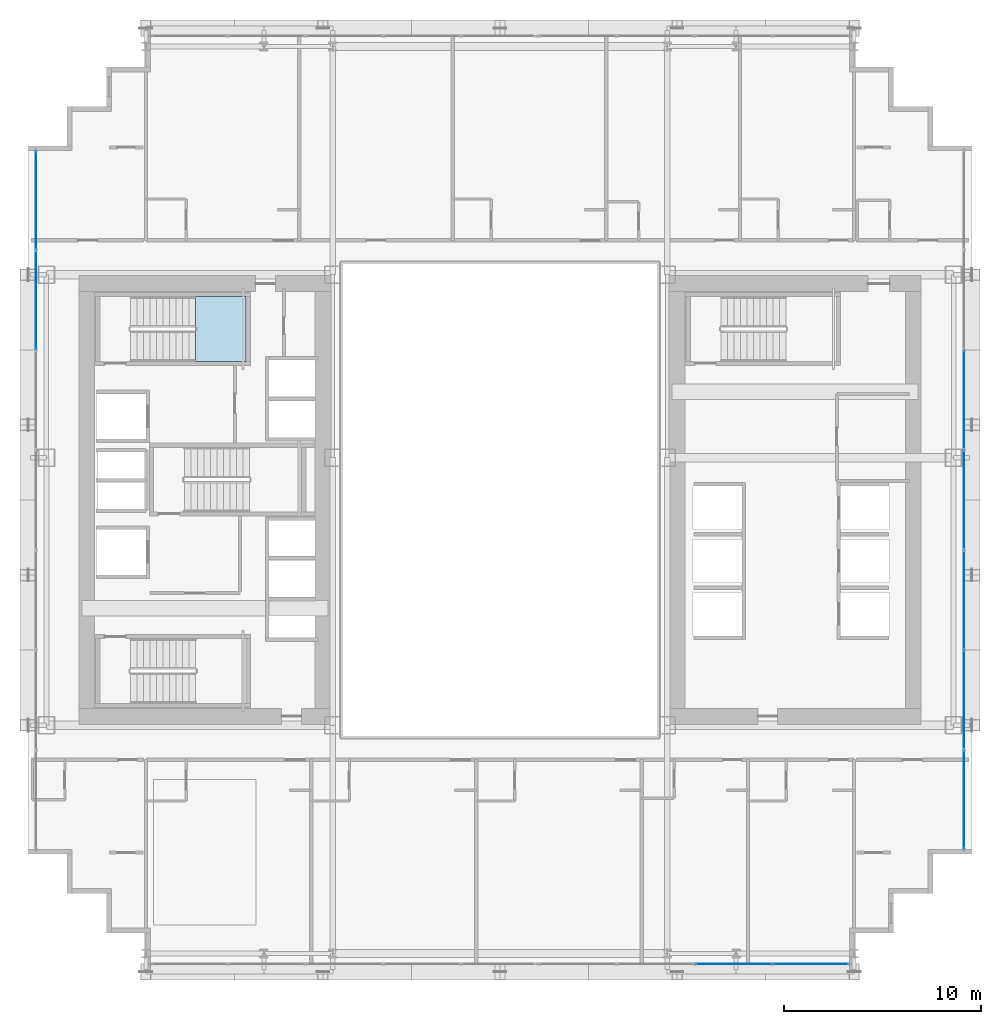
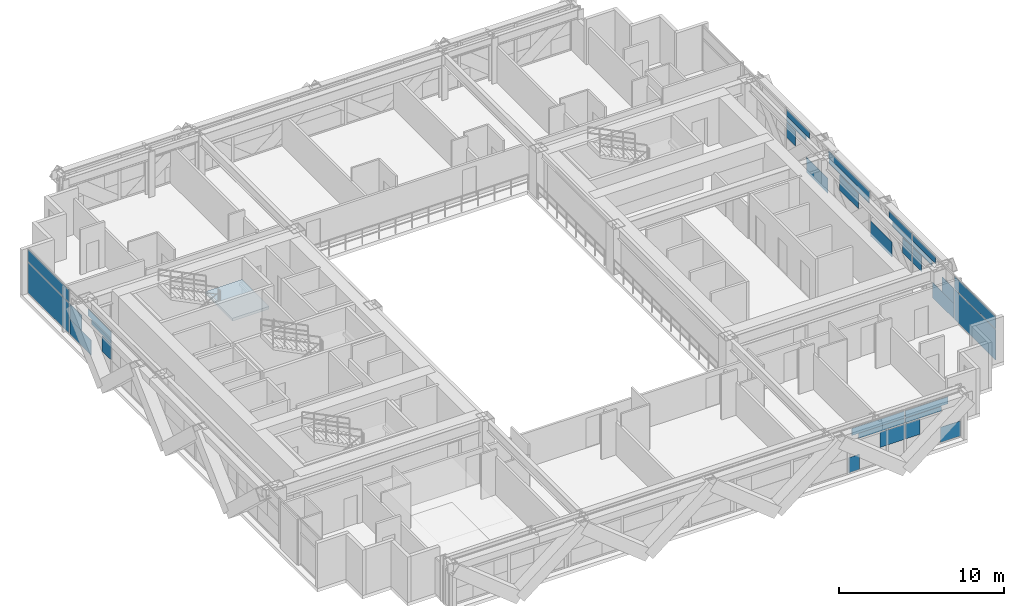
# One storey, part 26 of 38: 33 plates, 1 slab, 4 elements without a shape of their own.
"""IFC4 building model written with IfcOpenShell, lengths in metres."""

from ifc_helpers import new_model, si_unit, direction, frame, origin, origin_2d, place, context, subcontext, project, spatial, polyline, rectangle, outline, extrude, source, transform, mapped, material, layer, layer_set, type_object, element, aggregate, save


model = new_model("IFC4")

# Units and contexts
model_context = context("Model", 3, precision=1e-05, world=origin(), true_north=direction((0.0, 1.0)))
body_context = subcontext(model_context, "Body", "Model", "MODEL_VIEW")
ifc_project = project(units=[si_unit("LENGTHUNIT", "METRE"), si_unit("AREAUNIT", "SQUARE_METRE"), si_unit("VOLUMEUNIT", "CUBIC_METRE"), si_unit("PLANEANGLEUNIT", "RADIAN"), si_unit("MASSUNIT", "GRAM", prefix="KILO")], contexts=[model_context])

# Site, building, storey
site_placement = place(None, origin())
site = spatial("IfcSite", under=ifc_project, at=site_placement, CompositionType="ELEMENT")
building_placement = place(site_placement, origin())
building = spatial("IfcBuilding", under=site, at=building_placement, Name="Ocotamira Hotel", CompositionType="ELEMENT")
storey_placement = place(building_placement, frame((0.0, 0.0, 60.0)))
storey = spatial("IfcBuildingStorey", under=building, at=storey_placement, Name="L14", CompositionType="ELEMENT", Elevation=60.0)

# Stair, slab
ifc_material_1 = material(Name="Concrete C40/50", Category="concrete")
stair_type = type_object("IfcStairType", Name="ST-CORE-1560", PredefinedType="HALF_TURN_STAIR", material=ifc_material_1)
stair_placement = place(storey_placement, origin())
stair = element("IfcStair", 1, at=stair_placement, inside=storey, type_object=stair_type, Name="L14 Exit Stair ST-2", PredefinedType="HALF_TURN_STAIR")
ifc_layer_1 = layer(ifc_material_1, 0.199951171875)
ifc_layer_set_1 = layer_set([ifc_layer_1], Name="Concrete C40/50")
slab_type = type_object("IfcSlabType", Name="SLB-LAND-200", PredefinedType="LANDING", material=ifc_layer_set_1)
slab_placement = place(storey_placement, frame((0.0, 0.0, 1.60009765625)))
slab = element("IfcSlab", 2, at=slab_placement, type_object=slab_type, Name="ST-2 landing 1", PredefinedType="LANDING", context=body_context, shape_type="SweptSolid", body=[
    extrude(outline(polyline([(16.530029296875, 33.050048828125), (19.090087890625, 33.050048828125), (19.090087890625, 36.330078125), (16.530029296875, 36.330078125), (16.530029296875, 33.050048828125)])), origin(), (0.0, 0.0, 1.0), 0.199951171875),
])
aggregate(stair, [slab])

# Curtain wall, plate
ifc_material_2 = material(Name="Anodised pale-metal aluminium and solar glass", Category="aluminium")
ifc_layer_2 = layer(ifc_material_2, 0.179931640625)
ifc_layer_set_2 = layer_set([ifc_layer_2], Name="Anodised pale-metal aluminium and solar glass")
curtain_wall_type = type_object("IfcCurtainWallType", Name="CW-SYS2-Z1", PredefinedType="NOTDEFINED", material=ifc_layer_set_2)
curtain_wall_1_placement = place(storey_placement, origin())
curtain_wall_1 = element("IfcCurtainWall", 3, at=curtain_wall_1_placement, inside=storey, type_object=curtain_wall_type, Name="L14 Curtain Wall CW-2 CW-L14-W", PredefinedType="NOTDEFINED")
ifc_material_3 = material(Name="Double-silver low-E insulated solar glass", Category="glass")
ifc_layer_3 = layer(ifc_material_3, 0.031982421875)
ifc_layer_set_3 = layer_set([ifc_layer_3], Name="Double-silver low-E insulated solar glass")
plate_type = type_object("IfcPlateType", Name="CWP-VISION-32", PredefinedType="CURTAIN_PANEL", material=ifc_layer_set_3)
shared_shape_1 = source(origin(), body_context, "Body", "SweptSolid", [
    extrude(rectangle(XDim=4.9658203125, YDim=0.031982421875, at=origin_2d()), origin(), (0.0, 0.0, 1.0), 2.237548828125),
])
plate_1_placement = place(storey_placement, frame((8.419921875, 41.237060546875, 0.0751953125), z_axis=(0.0, 0.0, 1.0), x_axis=(0.0, 1.0, 0.0)))
plate_1 = element("IfcPlate", 4, at=plate_1_placement, type_object=plate_type, Name="CW-2 panel 7.1", PredefinedType="CURTAIN_PANEL", context=body_context, shape_type="MappedRepresentation", body=[
    mapped(shared_shape_1, transform((0.0, 0.0, 0.0), scale=1.0)),
])

curtain_wall_2_placement = place(storey_placement, origin())
curtain_wall_2 = element("IfcCurtainWall", 5, at=curtain_wall_2_placement, inside=storey, type_object=curtain_wall_type, Name="L14 Curtain Wall CW-2 CW-L14-E", PredefinedType="NOTDEFINED")
plate_2_placement = place(storey_placement, frame((55.580078125, 10.762939453125, 0.0751953125), z_axis=(0.0, 0.0, 1.0), x_axis=(0.0, 1.0, 0.0)))
plate_2 = element("IfcPlate", 6, at=plate_2_placement, type_object=plate_type, Name="CW-2 panel 1.1", PredefinedType="CURTAIN_PANEL", context=body_context, shape_type="MappedRepresentation", body=[
    mapped(shared_shape_1, transform((0.0, 0.0, 0.0), scale=1.0)),
])

# Plate
shared_shape_2 = source(origin(), body_context, "Body", "SweptSolid", [
    extrude(rectangle(XDim=4.9658203125, YDim=0.031982421875, at=origin_2d()), origin(), (0.0, 0.0, 1.0), 0.887451171875),
])
plate_3_placement = place(storey_placement, frame((8.419921875, 41.237060546875, 2.3876953125), z_axis=(0.0, 0.0, 1.0), x_axis=(0.0, 1.0, 0.0)))
plate_3 = element("IfcPlate", 7, at=plate_3_placement, type_object=plate_type, Name="CW-2 panel 7.2", PredefinedType="CURTAIN_PANEL", context=body_context, shape_type="MappedRepresentation", body=[
    mapped(shared_shape_2, transform((0.0, 0.0, 0.0), scale=1.0)),
])

plate_4_placement = place(storey_placement, frame((55.580078125, 10.762939453125, 2.3876953125), z_axis=(0.0, 0.0, 1.0), x_axis=(0.0, 1.0, 0.0)))
plate_4 = element("IfcPlate", 8, at=plate_4_placement, type_object=plate_type, Name="CW-2 panel 1.2", PredefinedType="CURTAIN_PANEL", context=body_context, shape_type="MappedRepresentation", body=[
    mapped(shared_shape_2, transform((0.0, 0.0, 0.0), scale=1.0)),
])

shared_shape_3 = source(origin(), body_context, "Body", "SweptSolid", [
    extrude(rectangle(XDim=2.27978515625, YDim=0.031982421875, at=origin_2d()), origin(), (0.0, 0.0, 1.0), 1.11865234375),
])
plate_5_placement = place(storey_placement, frame((55.580078125, 26.0, 1.19384765625), z_axis=(0.0, 0.0, 1.0), x_axis=(0.0, 1.0, 0.0)))
plate_5 = element("IfcPlate", 9, at=plate_5_placement, type_object=plate_type, Name="CW-2 panel 4.1.1", PredefinedType="CURTAIN_PANEL", context=body_context, shape_type="MappedRepresentation", body=[
    mapped(shared_shape_3, transform((0.0, 0.0, 0.0), scale=1.0)),
])

# Curtain wall, plates
curtain_wall_3_placement = place(storey_placement, origin())
curtain_wall_3 = element("IfcCurtainWall", 10, at=curtain_wall_3_placement, inside=storey, type_object=curtain_wall_type, Name="L14 Curtain Wall CW-2 CW-L14-S1", PredefinedType="NOTDEFINED")
shared_shape_4 = source(origin(), body_context, "Body", "SweptSolid", [
    extrude(rectangle(XDim=1.382568359375, YDim=0.031982421875, at=origin_2d()), origin(), (0.0, 0.0, 1.0), 1.11865234375),
])
plate_6_placement = place(storey_placement, frame((49.02880859375, 2.419921875, 0.0751953125), z_axis=(0.0, 0.0, 1.0), x_axis=(1.0, 0.0, 0.0)))
plate_6 = element("IfcPlate", 11, at=plate_6_placement, type_object=plate_type, Name="CW-2 panel 9.1.2", PredefinedType="CURTAIN_PANEL", context=body_context, shape_type="MappedRepresentation", body=[
    mapped(shared_shape_4, transform((0.0, 0.0, 0.0), scale=1.0)),
])
shared_shape_5 = source(origin(), body_context, "Body", "SweptSolid", [
    extrude(rectangle(XDim=1.012451171875, YDim=0.031982421875, at=origin_2d()), origin(), (0.0, 0.0, 1.0), 1.11865234375),
])
plate_7_placement = place(storey_placement, frame((46.390625, 2.419921875, 1.19384765625), z_axis=(0.0, 0.0, 1.0), x_axis=(1.0, 0.0, 0.0)))
plate_7 = element("IfcPlate", 12, at=plate_7_placement, type_object=plate_type, Name="CW-2 panel 9.1.1", PredefinedType="CURTAIN_PANEL", context=body_context, shape_type="MappedRepresentation", body=[
    mapped(shared_shape_5, transform((0.0, 0.0, 0.0), scale=1.0)),
])
shared_shape_6 = source(origin(), body_context, "Body", "SweptSolid", [
    extrude(rectangle(XDim=2.9755859375, YDim=0.031982421875, at=origin_2d()), origin(), (0.0, 0.0, 1.0), 0.5107421875),
])
plate_8_placement = place(storey_placement, frame((47.372314453125, 2.419921875, 2.76416015625), z_axis=(0.0, 0.0, 1.0), x_axis=(1.0, 0.0, 0.0)))
plate_8 = element("IfcPlate", 13, at=plate_8_placement, type_object=plate_type, Name="CW-2 panel 9.2.2", PredefinedType="CURTAIN_PANEL", context=body_context, shape_type="MappedRepresentation", body=[
    mapped(shared_shape_6, transform((0.0, 0.0, 0.0), scale=1.0)),
])
shared_shape_7 = source(origin(), body_context, "Body", "SweptSolid", [
    extrude(rectangle(XDim=2.504638671875, YDim=0.031982421875, at=origin_2d()), origin(), (0.0, 0.0, 1.0), 0.345458984375),
])
plate_9_placement = place(storey_placement, frame((47.13671875, 2.419921875, 2.3876953125), z_axis=(0.0, 0.0, 1.0), x_axis=(1.0, 0.0, 0.0)))
plate_9 = element("IfcPlate", 14, at=plate_9_placement, type_object=plate_type, Name="CW-2 panel 9.2.1", PredefinedType="CURTAIN_PANEL", context=body_context, shape_type="MappedRepresentation", body=[
    mapped(shared_shape_7, transform((0.0, 0.0, 0.0), scale=1.0)),
])
shared_shape_8 = source(origin(), body_context, "Body", "SweptSolid", [
    extrude(rectangle(XDim=1.701416015625, YDim=0.031982421875, at=origin_2d()), origin(), (0.0, 0.0, 1.0), 1.11865234375),
])
plate_10_placement = place(storey_placement, frame((44.953857421875, 2.419921875, 1.19384765625), z_axis=(0.0, 0.0, 1.0), x_axis=(1.0, 0.0, 0.0)))
plate_10 = element("IfcPlate", 15, at=plate_10_placement, type_object=plate_type, Name="CW-2 panel 8.1.2", PredefinedType="CURTAIN_PANEL", context=body_context, shape_type="MappedRepresentation", body=[
    mapped(shared_shape_8, transform((0.0, 0.0, 0.0), scale=1.0)),
])
shared_shape_9 = source(origin(), body_context, "Body", "SweptSolid", [
    extrude(rectangle(XDim=0.733642578125, YDim=0.031982421875, at=origin_2d()), origin(), (0.0, 0.0, 1.0), 1.11865234375),
])
plate_11_placement = place(storey_placement, frame((42.295654296875, 2.419921875, 0.0751953125), z_axis=(0.0, 0.0, 1.0), x_axis=(1.0, 0.0, 0.0)))
plate_11 = element("IfcPlate", 16, at=plate_11_placement, type_object=plate_type, Name="CW-2 panel 8.1.1", PredefinedType="CURTAIN_PANEL", context=body_context, shape_type="MappedRepresentation", body=[
    mapped(shared_shape_9, transform((0.0, 0.0, 0.0), scale=1.0)),
])
shared_shape_10 = source(origin(), body_context, "Body", "SweptSolid", [
    extrude(rectangle(XDim=3.193603515625, YDim=0.031982421875, at=origin_2d()), origin(), (0.0, 0.0, 1.0), 0.376708984375),
])
plate_12_placement = place(storey_placement, frame((44.207763671875, 2.419921875, 2.3876953125), z_axis=(0.0, 0.0, 1.0), x_axis=(1.0, 0.0, 0.0)))
plate_12 = element("IfcPlate", 17, at=plate_12_placement, type_object=plate_type, Name="CW-2 panel 8.2.2", PredefinedType="CURTAIN_PANEL", context=body_context, shape_type="MappedRepresentation", body=[
    mapped(shared_shape_10, transform((0.0, 0.0, 0.0), scale=1.0)),
])
shared_shape_11 = source(origin(), body_context, "Body", "SweptSolid", [
    extrude(rectangle(XDim=3.664306640625, YDim=0.031982421875, at=origin_2d()), origin(), (0.0, 0.0, 1.0), 0.5107421875),
])
plate_13_placement = place(storey_placement, frame((43.972412109375, 2.419921875, 2.76416015625), z_axis=(0.0, 0.0, 1.0), x_axis=(1.0, 0.0, 0.0)))
plate_13 = element("IfcPlate", 18, at=plate_13_placement, type_object=plate_type, Name="CW-2 panel 8.2.1", PredefinedType="CURTAIN_PANEL", context=body_context, shape_type="MappedRepresentation", body=[
    mapped(shared_shape_11, transform((0.0, 0.0, 0.0), scale=1.0)),
])
aggregate(curtain_wall_3, [plate_11, plate_10, plate_13, plate_12, plate_7, plate_6, plate_9, plate_8])

# Plate
shared_shape_12 = source(origin(), body_context, "Body", "SweptSolid", [
    extrude(rectangle(XDim=2.58935546875, YDim=0.031982421875, at=origin_2d()), origin(), (0.0, 0.0, 1.0), 1.11865234375),
])
plate_14_placement = place(storey_placement, frame((8.419921875, 37.379638671875, 0.0751953125), z_axis=(0.0, 0.0, 1.0), x_axis=(0.0, 1.0, 0.0)))
plate_14 = element("IfcPlate", 19, at=plate_14_placement, type_object=plate_type, Name="CW-2 panel 6.1.2", PredefinedType="CURTAIN_PANEL", context=body_context, shape_type="MappedRepresentation", body=[
    mapped(shared_shape_12, transform((0.0, 0.0, 0.0), scale=1.0)),
])

plate_15_placement = place(storey_placement, frame((55.580078125, 14.620361328125, 0.0751953125), z_axis=(0.0, 0.0, 1.0), x_axis=(0.0, 1.0, 0.0)))
plate_15 = element("IfcPlate", 20, at=plate_15_placement, type_object=plate_type, Name="CW-2 panel 2.1.1", PredefinedType="CURTAIN_PANEL", context=body_context, shape_type="MappedRepresentation", body=[
    mapped(shared_shape_12, transform((0.0, 0.0, 0.0), scale=1.0)),
])

shared_shape_13 = source(origin(), body_context, "Body", "SweptSolid", [
    extrude(rectangle(XDim=1.4033203125, YDim=0.031982421875, at=origin_2d()), origin(), (0.0, 0.0, 1.0), 1.11865234375),
])
plate_16_placement = place(storey_placement, frame((8.419921875, 37.97265625, 1.19384765625), z_axis=(0.0, 0.0, 1.0), x_axis=(0.0, 1.0, 0.0)))
plate_16 = element("IfcPlate", 21, at=plate_16_placement, type_object=plate_type, Name="CW-2 panel 6.1.3", PredefinedType="CURTAIN_PANEL", context=body_context, shape_type="MappedRepresentation", body=[
    mapped(shared_shape_13, transform((0.0, 0.0, 0.0), scale=1.0)),
])

plate_17_placement = place(storey_placement, frame((55.580078125, 14.02734375, 1.19384765625), z_axis=(0.0, 0.0, 1.0), x_axis=(0.0, 1.0, 0.0)))
plate_17 = element("IfcPlate", 22, at=plate_17_placement, type_object=plate_type, Name="CW-2 panel 2.1.2", PredefinedType="CURTAIN_PANEL", context=body_context, shape_type="MappedRepresentation", body=[
    mapped(shared_shape_13, transform((0.0, 0.0, 0.0), scale=1.0)),
])

shared_shape_14 = source(origin(), body_context, "Body", "SweptSolid", [
    extrude(rectangle(XDim=1.104736328125, YDim=0.031982421875, at=origin_2d()), origin(), (0.0, 0.0, 1.0), 1.11865234375),
])
plate_18_placement = place(storey_placement, frame((8.419921875, 34.220947265625, 1.19384765625), z_axis=(0.0, 0.0, 1.0), x_axis=(0.0, 1.0, 0.0)))
plate_18 = element("IfcPlate", 23, at=plate_18_placement, type_object=plate_type, Name="CW-2 panel 6.1.1", PredefinedType="CURTAIN_PANEL", context=body_context, shape_type="MappedRepresentation", body=[
    mapped(shared_shape_14, transform((0.0, 0.0, 0.0), scale=1.0)),
])

plate_19_placement = place(storey_placement, frame((55.580078125, 17.779052734375, 1.19384765625), z_axis=(0.0, 0.0, 1.0), x_axis=(0.0, 1.0, 0.0)))
plate_19 = element("IfcPlate", 24, at=plate_19_placement, type_object=plate_type, Name="CW-2 panel 2.1.3", PredefinedType="CURTAIN_PANEL", context=body_context, shape_type="MappedRepresentation", body=[
    mapped(shared_shape_14, transform((0.0, 0.0, 0.0), scale=1.0)),
])

shared_shape_15 = source(origin(), body_context, "Body", "SweptSolid", [
    extrude(rectangle(XDim=2.796630859375, YDim=0.031982421875, at=origin_2d()), origin(), (0.0, 0.0, 1.0), 0.485107421875),
])
plate_20_placement = place(storey_placement, frame((8.419921875, 35.06689453125, 2.7900390625), z_axis=(0.0, 0.0, 1.0), x_axis=(0.0, 1.0, 0.0)))
plate_20 = element("IfcPlate", 25, at=plate_20_placement, type_object=plate_type, Name="CW-2 panel 6.2.2", PredefinedType="CURTAIN_PANEL", context=body_context, shape_type="MappedRepresentation", body=[
    mapped(shared_shape_15, transform((0.0, 0.0, 0.0), scale=1.0)),
])

plate_21_placement = place(storey_placement, frame((55.580078125, 16.93310546875, 2.7900390625), z_axis=(0.0, 0.0, 1.0), x_axis=(0.0, 1.0, 0.0)))
plate_21 = element("IfcPlate", 26, at=plate_21_placement, type_object=plate_type, Name="CW-2 panel 2.2.1", PredefinedType="CURTAIN_PANEL", context=body_context, shape_type="MappedRepresentation", body=[
    mapped(shared_shape_15, transform((0.0, 0.0, 0.0), scale=1.0)),
])

shared_shape_16 = source(origin(), body_context, "Body", "SweptSolid", [
    extrude(rectangle(XDim=2.3701171875, YDim=0.031982421875, at=origin_2d()), origin(), (0.0, 0.0, 1.0), 0.367919921875),
])
plate_22_placement = place(storey_placement, frame((8.419921875, 34.853759765625, 2.3876953125), z_axis=(0.0, 0.0, 1.0), x_axis=(0.0, 1.0, 0.0)))
plate_22 = element("IfcPlate", 27, at=plate_22_placement, type_object=plate_type, Name="CW-2 panel 6.2.1", PredefinedType="CURTAIN_PANEL", context=body_context, shape_type="MappedRepresentation", body=[
    mapped(shared_shape_16, transform((0.0, 0.0, 0.0), scale=1.0)),
])

aggregate(curtain_wall_1, [plate_18, plate_14, plate_16, plate_22, plate_20, plate_1, plate_3])

plate_23_placement = place(storey_placement, frame((55.580078125, 17.146240234375, 2.3876953125), z_axis=(0.0, 0.0, 1.0), x_axis=(0.0, 1.0, 0.0)))
plate_23 = element("IfcPlate", 28, at=plate_23_placement, type_object=plate_type, Name="CW-2 panel 2.2.2", PredefinedType="CURTAIN_PANEL", context=body_context, shape_type="MappedRepresentation", body=[
    mapped(shared_shape_16, transform((0.0, 0.0, 0.0), scale=1.0)),
])

shared_shape_17 = source(origin(), body_context, "Body", "SweptSolid", [
    extrude(rectangle(XDim=1.094970703125, YDim=0.031982421875, at=origin_2d()), origin(), (0.0, 0.0, 1.0), 1.11865234375),
])
plate_24_placement = place(storey_placement, frame((55.580078125, 18.958984375, 1.19384765625), z_axis=(0.0, 0.0, 1.0), x_axis=(0.0, 1.0, 0.0)))
plate_24 = element("IfcPlate", 29, at=plate_24_placement, type_object=plate_type, Name="CW-2 panel 3.1.1", PredefinedType="CURTAIN_PANEL", context=body_context, shape_type="MappedRepresentation", body=[
    mapped(shared_shape_17, transform((0.0, 0.0, 0.0), scale=1.0)),
])

plate_25_placement = place(storey_placement, frame((55.580078125, 33.041015625, 1.19384765625), z_axis=(0.0, 0.0, 1.0), x_axis=(0.0, 1.0, 0.0)))
plate_25 = element("IfcPlate", 30, at=plate_25_placement, type_object=plate_type, Name="CW-2 panel 5.1.2", PredefinedType="CURTAIN_PANEL", context=body_context, shape_type="MappedRepresentation", body=[
    mapped(shared_shape_17, transform((0.0, 0.0, 0.0), scale=1.0)),
])

shared_shape_18 = source(origin(), body_context, "Body", "SweptSolid", [
    extrude(rectangle(XDim=2.59912109375, YDim=0.031982421875, at=origin_2d()), origin(), (0.0, 0.0, 1.0), 1.11865234375),
])
plate_26_placement = place(storey_placement, frame((55.580078125, 22.11767578125, 0.0751953125), z_axis=(0.0, 0.0, 1.0), x_axis=(0.0, 1.0, 0.0)))
plate_26 = element("IfcPlate", 31, at=plate_26_placement, type_object=plate_type, Name="CW-2 panel 3.1.2", PredefinedType="CURTAIN_PANEL", context=body_context, shape_type="MappedRepresentation", body=[
    mapped(shared_shape_18, transform((0.0, 0.0, 0.0), scale=1.0)),
])

plate_27_placement = place(storey_placement, frame((55.580078125, 29.88232421875, 0.0751953125), z_axis=(0.0, 0.0, 1.0), x_axis=(0.0, 1.0, 0.0)))
plate_27 = element("IfcPlate", 32, at=plate_27_placement, type_object=plate_type, Name="CW-2 panel 5.1.1", PredefinedType="CURTAIN_PANEL", context=body_context, shape_type="MappedRepresentation", body=[
    mapped(shared_shape_18, transform((0.0, 0.0, 0.0), scale=1.0)),
])

shared_shape_19 = source(origin(), body_context, "Body", "SweptSolid", [
    extrude(rectangle(XDim=2.360595703125, YDim=0.031982421875, at=origin_2d()), origin(), (0.0, 0.0, 1.0), 0.367919921875),
])
plate_28_placement = place(storey_placement, frame((55.580078125, 19.591796875, 2.3876953125), z_axis=(0.0, 0.0, 1.0), x_axis=(0.0, 1.0, 0.0)))
plate_28 = element("IfcPlate", 33, at=plate_28_placement, type_object=plate_type, Name="CW-2 panel 3.2.1", PredefinedType="CURTAIN_PANEL", context=body_context, shape_type="MappedRepresentation", body=[
    mapped(shared_shape_19, transform((0.0, 0.0, 0.0), scale=1.0)),
])

plate_29_placement = place(storey_placement, frame((55.580078125, 32.408203125, 2.3876953125), z_axis=(0.0, 0.0, 1.0), x_axis=(0.0, 1.0, 0.0)))
plate_29 = element("IfcPlate", 34, at=plate_29_placement, type_object=plate_type, Name="CW-2 panel 5.2.2", PredefinedType="CURTAIN_PANEL", context=body_context, shape_type="MappedRepresentation", body=[
    mapped(shared_shape_19, transform((0.0, 0.0, 0.0), scale=1.0)),
])

shared_shape_20 = source(origin(), body_context, "Body", "SweptSolid", [
    extrude(rectangle(XDim=2.787109375, YDim=0.031982421875, at=origin_2d()), origin(), (0.0, 0.0, 1.0), 0.485107421875),
])
plate_30_placement = place(storey_placement, frame((55.580078125, 19.804931640625, 2.7900390625), z_axis=(0.0, 0.0, 1.0), x_axis=(0.0, 1.0, 0.0)))
plate_30 = element("IfcPlate", 35, at=plate_30_placement, type_object=plate_type, Name="CW-2 panel 3.2.2", PredefinedType="CURTAIN_PANEL", context=body_context, shape_type="MappedRepresentation", body=[
    mapped(shared_shape_20, transform((0.0, 0.0, 0.0), scale=1.0)),
])

plate_31_placement = place(storey_placement, frame((55.580078125, 32.195068359375, 2.7900390625), z_axis=(0.0, 0.0, 1.0), x_axis=(0.0, 1.0, 0.0)))
plate_31 = element("IfcPlate", 36, at=plate_31_placement, type_object=plate_type, Name="CW-2 panel 5.2.1", PredefinedType="CURTAIN_PANEL", context=body_context, shape_type="MappedRepresentation", body=[
    mapped(shared_shape_20, transform((0.0, 0.0, 0.0), scale=1.0)),
])

shared_shape_21 = source(origin(), body_context, "Body", "SweptSolid", [
    extrude(rectangle(XDim=5.005615234375, YDim=0.031982421875, at=origin_2d()), origin(), (0.0, 0.0, 1.0), 0.485107421875),
])
plate_32_placement = place(storey_placement, frame((55.580078125, 26.0, 2.7900390625), z_axis=(0.0, 0.0, 1.0), x_axis=(0.0, 1.0, 0.0)))
plate_32 = element("IfcPlate", 37, at=plate_32_placement, type_object=plate_type, Name="CW-2 panel 4.2.1", PredefinedType="CURTAIN_PANEL", context=body_context, shape_type="MappedRepresentation", body=[
    mapped(shared_shape_21, transform((0.0, 0.0, 0.0), scale=1.0)),
])

shared_shape_22 = source(origin(), body_context, "Body", "SweptSolid", [
    extrude(rectangle(XDim=4.81103515625, YDim=0.031982421875, at=origin_2d()), origin(), (0.0, 0.0, 1.0), 0.40234375),
])
plate_33_placement = place(storey_placement, frame((55.580078125, 26.0, 2.387451171875), z_axis=(0.0, 0.0, 1.0), x_axis=(0.0, 1.0, 0.0)))
plate_33 = element("IfcPlate", 38, at=plate_33_placement, type_object=plate_type, Name="CW-2 panel 4.2.2", PredefinedType="CURTAIN_PANEL", context=body_context, shape_type="MappedRepresentation", body=[
    mapped(shared_shape_22, transform((0.0, 0.0, 0.0), scale=1.0)),
])

aggregate(curtain_wall_2, [plate_2, plate_4, plate_15, plate_17, plate_19, plate_21, plate_23, plate_24, plate_26, plate_28, plate_30, plate_5, plate_32, plate_33, plate_27, plate_25, plate_31, plate_29])

save(model, "model.ifc")
